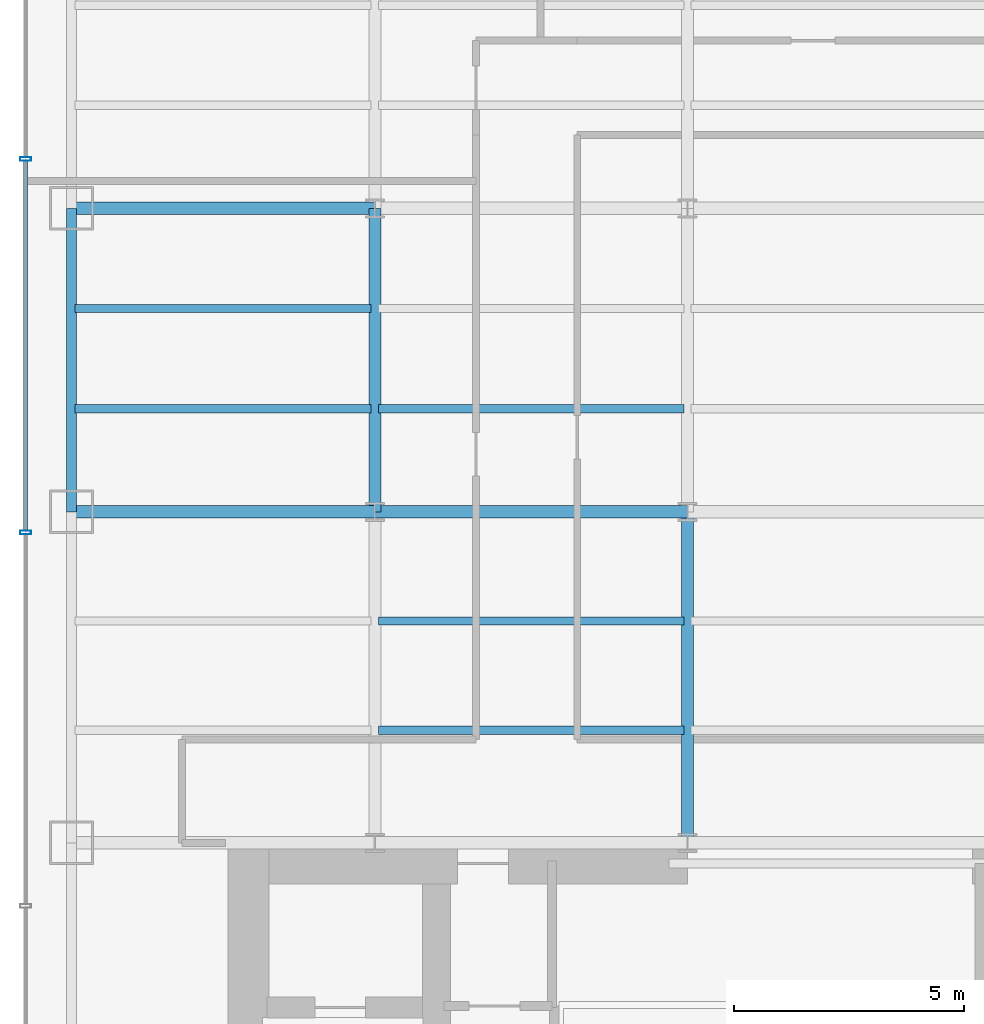
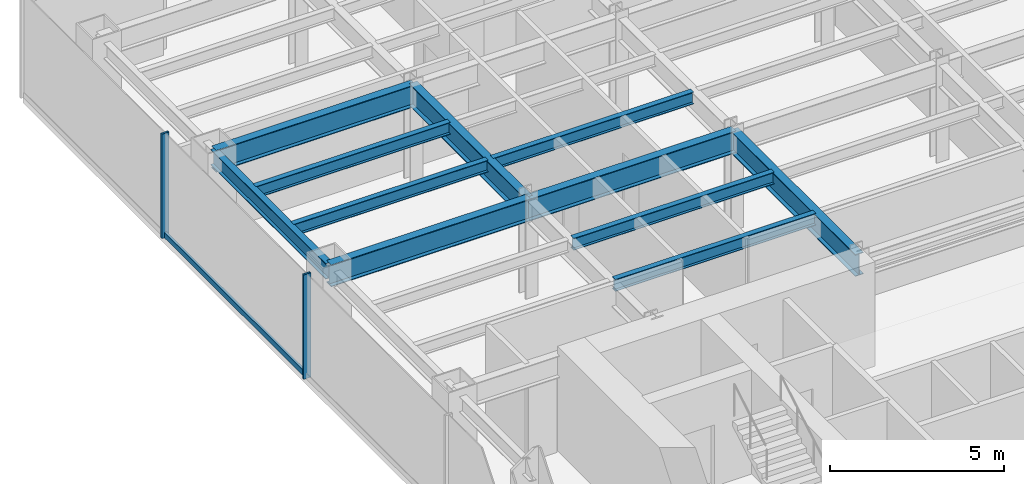
# One storey, part 4 of 22: 11 beams, 3 members, 1 element without a shape of its own.
"""IFC4 building model written with IfcOpenShell, lengths in metres."""

import ifcopenshell
import ifcopenshell.guid

model = None  # the IFC model being written
_history = None  # IfcOwnerHistory: only IFC2X3 demands one
_inside = {}  # id of a spatial element -> (the spatial element, [elements in it])
_under = {}  # id of a project, library or spatial element -> (it, [spatial elements below it])
_declared = {}  # id of a project -> (the project, [libraries it declares])
_typed = {}  # id of a type object -> (the type object, [elements of that type])
_made_of = {}  # id of a material, layer set ... -> (it, [elements and type objects made of it])


def new_model(schema):
    """Start an empty IFC model of exactly this schema.

    Asked for "IFC4X3", IfcOpenShell would pick the latest addendum, in which some entities
    have other attributes; the version numbers below select the first issue.
    IFC2X3 requires an IfcOwnerHistory on every rooted entity: one is made here for all.
    """
    global model, _history
    if schema == "IFC4X3":
        model = ifcopenshell.file(schema_version=(4, 3, 0, 0))
    else:
        model = ifcopenshell.file(schema=schema)
    _inside.clear()
    _under.clear()
    _declared.clear()
    _typed.clear()
    _made_of.clear()
    _history = None
    if model.schema == "IFC2X3":
        org = make("IfcOrganization", Name="unknown")
        user = make(
            "IfcPersonAndOrganization",
            ThePerson=make("IfcPerson", FamilyName="unknown"),
            TheOrganization=org,
        )
        app = make(
            "IfcApplication",
            ApplicationDeveloper=org,
            Version="unknown",
            ApplicationFullName="unknown",
            ApplicationIdentifier="unknown",
        )
        _history = make(
            "IfcOwnerHistory",
            OwningUser=user,
            OwningApplication=app,
            ChangeAction="ADDED",
            CreationDate=0,
        )
    return model


def make(cls, **values):
    """One entity of the class cls with the attributes given. An attribute that is None is left unset."""
    return model.create_entity(
        cls, **{name: value for name, value in values.items() if value is not None}
    )


def rooted(cls, **values):
    """An entity with a GlobalId (a new one), such as an element, a storey or a relation."""
    return make(cls, GlobalId=ifcopenshell.guid.new(), OwnerHistory=_history, **values)


def si_unit(unit_type, name, prefix=None):
    """IfcSIUnit, for example si_unit("LENGTHUNIT", "METRE", prefix="MILLI")."""
    return make("IfcSIUnit", UnitType=unit_type, Prefix=prefix, Name=name)


def derived_unit(unit_type, elements):
    """IfcDerivedUnit: a product of units, each with its exponent."""
    return make(
        "IfcDerivedUnit",
        Elements=[
            make("IfcDerivedUnitElement", Unit=unit, Exponent=power)
            for unit, power in elements
        ],
        UnitType=unit_type,
    )


def assignment(units):
    """IfcUnitAssignment: the units of a project."""
    return None if units is None else make("IfcUnitAssignment", Units=units)


def point(xyz):
    """IfcCartesianPoint."""
    return None if xyz is None else make("IfcCartesianPoint", Coordinates=xyz)


def direction(xyz):
    """IfcDirection."""
    return None if xyz is None else make("IfcDirection", DirectionRatios=xyz)


def frame(location, z_axis=None, x_axis=None):
    """IfcAxis2Placement3D, a coordinate frame: its origin and axes. An axis left out is left unset."""
    return make(
        "IfcAxis2Placement3D",
        Location=point(location),
        Axis=direction(z_axis),
        RefDirection=direction(x_axis),
    )


def frame_2d(location, x_axis=None):
    """IfcAxis2Placement2D, a coordinate frame in the plane: its origin and x axis."""
    return make(
        "IfcAxis2Placement2D", Location=point(location), RefDirection=direction(x_axis)
    )


def origin():
    """The frame at (0, 0, 0) with its axes left unset."""
    return frame((0.0, 0.0, 0.0))


def origin_2d():
    """The frame at (0, 0) in the plane with its x axis left unset."""
    return frame_2d((0.0, 0.0))


def place(relative_to, where):
    """IfcLocalPlacement: puts the frame where relative to a parent placement (None: the world)."""
    return make(
        "IfcLocalPlacement", PlacementRelTo=relative_to, RelativePlacement=where
    )


def context(
    kind, dimensions, precision=None, world=None, true_north=None, identifier=None
):
    """IfcGeometricRepresentationContext, for example the 3D "Model" context."""
    return make(
        "IfcGeometricRepresentationContext",
        ContextIdentifier=identifier,
        ContextType=kind,
        CoordinateSpaceDimension=dimensions,
        Precision=precision,
        WorldCoordinateSystem=world,
        TrueNorth=true_north,
    )


def subcontext(parent, identifier, kind, view, scale=None):
    """IfcGeometricRepresentationSubContext, for example "Body" below "Model"."""
    return make(
        "IfcGeometricRepresentationSubContext",
        ContextIdentifier=identifier,
        ContextType=kind,
        ParentContext=parent,
        TargetScale=scale,
        TargetView=view,
    )


def project(units=None, contexts=None):
    """IfcProject with its units and contexts."""
    return rooted(
        "IfcProject",
        Name="project",
        RepresentationContexts=contexts,
        UnitsInContext=assignment(units),
    )


def spatial(cls, under=None, at=None, **own):
    """A site, building, storey or space (cls), placed at a placement, below another one or the project."""
    s = rooted(cls, ObjectPlacement=at, **own)
    if under is not None:
        _under.setdefault(under.id(), (under, []))[1].append(s)
    return s


def profile(cls, at=None, kind="AREA", **sizes):
    """A parametric profile (cls). Its sizes go by their IFC names, for example OverallWidth=200.0."""
    return make(cls, ProfileType=kind, Position=at, **sizes)


def hollow_rectangle(**sizes):
    """IfcRectangleHollowProfileDef."""
    return profile("IfcRectangleHollowProfileDef", **sizes)


def i_section(**sizes):
    """IfcIShapeProfileDef."""
    return profile("IfcIShapeProfileDef", **sizes)


def extrude(swept, where, along, depth):
    """IfcExtrudedAreaSolid: the profile swept, set in the frame where, extruded along a direction by depth."""
    return make(
        "IfcExtrudedAreaSolid",
        SweptArea=swept,
        Position=where,
        ExtrudedDirection=direction(along),
        Depth=depth,
    )


def shape(context_of_items, identifier, shape_type, items):
    """IfcShapeRepresentation: the items that make up one representation, for example the "Body"."""
    return make(
        "IfcShapeRepresentation",
        ContextOfItems=context_of_items,
        RepresentationIdentifier=identifier,
        RepresentationType=shape_type,
        Items=items,
    )


def source(mapping_origin, context_of_items, identifier, shape_type, items):
    """IfcRepresentationMap: a shape defined once, which mapped items show again and again."""
    return make(
        "IfcRepresentationMap",
        MappingOrigin=mapping_origin,
        MappedRepresentation=shape(context_of_items, identifier, shape_type, items),
    )


def transform(
    local_origin,
    x_axis=None,
    y_axis=None,
    z_axis=None,
    scale=None,
    scale2=None,
    scale3=None,
    uniform=True,
):
    """IfcCartesianTransformationOperator3D, or its non-uniform kind. x_axis, y_axis, z_axis: its Axis1, 2, 3."""
    if uniform:
        return make(
            "IfcCartesianTransformationOperator3D",
            Axis1=direction(x_axis),
            Axis2=direction(y_axis),
            LocalOrigin=point(local_origin),
            Scale=scale,
            Axis3=direction(z_axis),
        )
    return make(
        "IfcCartesianTransformationOperator3DnonUniform",
        Axis1=direction(x_axis),
        Axis2=direction(y_axis),
        LocalOrigin=point(local_origin),
        Scale=scale,
        Axis3=direction(z_axis),
        Scale2=scale2,
        Scale3=scale3,
    )


def mapped(mapping_source, mapping_target):
    """IfcMappedItem: shows the shape of a source again, moved by a transform."""
    return make(
        "IfcMappedItem", MappingSource=mapping_source, MappingTarget=mapping_target
    )


def material(Name=None, Category=None):
    """IfcMaterial."""
    return make("IfcMaterial", Name=Name, Category=Category)


def material_profile(
    of_material, cross_section, Name=None, Category=None, Priority=None
):
    """IfcMaterialProfile: a cross section and its material."""
    return make(
        "IfcMaterialProfile",
        Name=Name,
        Material=of_material,
        Profile=cross_section,
        Priority=Priority,
        Category=Category,
    )


def profile_set(profiles, Name=None, composite=None):
    """IfcMaterialProfileSet."""
    return make(
        "IfcMaterialProfileSet",
        Name=Name,
        MaterialProfiles=profiles,
        CompositeProfile=composite,
    )


def made_of(thing, what):
    """Note that an element or type object is made of a material, layer set ...; save() writes the relation."""
    if what is not None:
        _made_of.setdefault(what.id(), (what, []))[1].append(thing)
    return thing


def type_object(cls, material=None, **own):
    """A type object (cls), such as IfcWallType, which elements share."""
    return made_of(rooted(cls, **own), material)


def element(
    cls,
    number,
    at=None,
    inside=None,
    cuts=None,
    type_object=None,
    material=None,
    context=None,
    identifier="Body",
    shape_type=None,
    held_by="IfcProductDefinitionShape",
    body=None,
    shapes=None,
    **own,
):
    """One element of the class cls, such as IfcWall. Its Tag is "e" and its number.

    at: its placement. inside: the storey or other place that contains it. cuts: it is an
    opening in that element (IfcRelVoidsElement). A single representation is given by context,
    identifier, shape_type and body (its items); several are given by shapes. held_by: the class
    of the entity that holds the representations. save() writes the other relations.
    """
    e = rooted(cls, Tag="e%d" % number, ObjectPlacement=at, **own)
    if body is not None:
        shapes = [shape(context, identifier, shape_type, body)]
    if shapes is not None:
        e.Representation = make(held_by, Representations=shapes)
    if inside is not None:
        _inside.setdefault(inside.id(), (inside, []))[1].append(e)
    if cuts is not None:
        rooted(
            "IfcRelVoidsElement", RelatingBuildingElement=cuts, RelatedOpeningElement=e
        )
    if type_object is not None:
        _typed.setdefault(type_object.id(), (type_object, []))[1].append(e)
    return made_of(e, material)


def aggregate(whole, parts):
    """IfcRelAggregates: a whole, such as a stair, and the parts it consists of."""
    return rooted("IfcRelAggregates", RelatingObject=whole, RelatedObjects=parts)


def save(model, path):
    """Write the relations noted so far, then the file.

    IfcRelAggregates (storeys below a building ...), IfcRelContainedInSpatialStructure (elements
    in a storey), IfcRelDefinesByType, IfcRelAssociatesMaterial and IfcRelDeclares: one each for
    every whole, place, type object, material and project.
    """
    for whole, parts in _under.values():
        aggregate(whole, parts)
    for where, things in _inside.values():
        rooted(
            "IfcRelContainedInSpatialStructure",
            RelatedElements=things,
            RelatingStructure=where,
        )
    for kind, things in _typed.values():
        rooted("IfcRelDefinesByType", RelatedObjects=things, RelatingType=kind)
    for what, things in _made_of.values():
        rooted("IfcRelAssociatesMaterial", RelatedObjects=things, RelatingMaterial=what)
    for by, libraries in _declared.values():
        rooted("IfcRelDeclares", RelatingContext=by, RelatedDefinitions=libraries)
    model.write(path)


model = new_model("IFC4")

# Units and contexts
model_context = context("Model", 3, precision=1e-05, world=origin(), true_north=direction((0.0, 1.0)))
body_context = subcontext(model_context, "Body", "Model", "MODEL_VIEW")
ifc_project = project(units=[si_unit("LENGTHUNIT", "METRE"), si_unit("AREAUNIT", "SQUARE_METRE"), si_unit("VOLUMEUNIT", "CUBIC_METRE"), si_unit("PLANEANGLEUNIT", "RADIAN"), si_unit("MASSUNIT", "GRAM", prefix="KILO"), derived_unit("THERMALTRANSMITTANCEUNIT", [(si_unit("POWERUNIT", "WATT"), 1), (si_unit("LENGTHUNIT", "METRE"), -2), (si_unit("THERMODYNAMICTEMPERATUREUNIT", "KELVIN"), -1)])], contexts=[model_context])

# Site, building, storey
site_placement = place(None, origin())
site = spatial("IfcSite", under=ifc_project, at=site_placement, CompositionType="ELEMENT")
building_placement = place(site_placement, origin())
building = spatial("IfcBuilding", under=site, at=building_placement, Name="Skarnbrae Concourse Arena and Tower", CompositionType="ELEMENT")
storey_placement = place(building_placement, frame((0.0, 0.0, 72.64990234375)))
storey = spatial("IfcBuildingStorey", under=building, at=storey_placement, Name="L17", CompositionType="ELEMENT", Elevation=72.64990234375)

# Beams
ifc_material_1 = material(Name="Steel CSA G40.21 350W", Category="steel")
ifc_material_profile_1 = material_profile(ifc_material_1, i_section(OverallWidth=0.26806640625, OverallDepth=0.77001953125, WebThickness=0.015625, FlangeThickness=0.025390625, at=origin_2d()), Name="W760X196")
ifc_profile_set_1 = profile_set([ifc_material_profile_1], Name="Steel CSA G40.21 350W")
beam_type_1 = type_object("IfcBeamType", Name="BM-GIRD-W760X196", PredefinedType="BEAM", material=ifc_profile_set_1)
shared_shape_1 = source(origin(), body_context, "Body", "SweptSolid", [
    extrude(i_section(OverallWidth=0.26806640625, OverallDepth=0.77001953125, WebThickness=0.015625, FlangeThickness=0.025390625, at=origin_2d()), origin(), (0.0, 0.0, 1.0), 6.60009765625),
])
for number, where, z_axis, x_axis, name in (
    (1, (1.0, 21.199951171875, 3.01513671875), (1.0, 0.0, 0.0), (0.0, 1.0, 0.0), "L17 Primary E-W girder Y21.2-1"),
    (2, (1.0, 27.800048828125, 3.01513671875), (1.0, 0.0, 0.0), (0.0, 1.0, 0.0), "L17 Primary E-W girder Y27.8-1"),
    (3, (7.60009765625, 21.199951171875, 3.01513671875), (0.0, 1.0, 0.0), (-1.0, 0.0, 0.0), "L17 Primary N-S girder X7.6-2"),
):
    element("IfcBeam", number, at=place(storey_placement, frame(where, z_axis=z_axis, x_axis=x_axis)), inside=storey, type_object=beam_type_1, Name=name, PredefinedType="BEAM", context=body_context, shape_type="MappedRepresentation", body=[
        mapped(shared_shape_1, transform((0.0, 0.0, 0.0))),
    ])
shared_shape_2 = source(origin(), body_context, "Body", "SweptSolid", [
    extrude(i_section(OverallWidth=0.26806640625, OverallDepth=0.77001953125, WebThickness=0.015625, FlangeThickness=0.025390625, at=origin_2d()), origin(), (0.0, 0.0, 1.0), 6.7998046875),
])
beam_1_placement = place(storey_placement, frame((7.60009765625, 21.199951171875, 3.01513671875), z_axis=(1.0, 0.0, 0.0), x_axis=(0.0, 1.0, 0.0)))
element("IfcBeam", 4, at=beam_1_placement, inside=storey, type_object=beam_type_1, Name="L17 Primary E-W girder Y21.2-2", PredefinedType="BEAM", context=body_context, shape_type="MappedRepresentation", body=[
    mapped(shared_shape_2, transform((0.0, 0.0, 0.0))),
])
ifc_material_profile_2 = material_profile(ifc_material_1, i_section(OverallWidth=0.214111328125, OverallDepth=0.549072265625, WebThickness=0.0146484375, FlangeThickness=0.023681640625, at=origin_2d()), Name="W530X138")
ifc_profile_set_2 = profile_set([ifc_material_profile_2], Name="Steel CSA G40.21 350W")
beam_type_2 = type_object("IfcBeamType", Name="BM-SPAN-W530X138", PredefinedType="SPANDREL", material=ifc_profile_set_2)
shared_shape_3 = source(origin(), body_context, "Body", "SweptSolid", [
    extrude(i_section(OverallWidth=0.214111328125, OverallDepth=0.549072265625, WebThickness=0.0146484375, FlangeThickness=0.023681640625, at=origin_2d()), origin(), (0.0, 0.0, 1.0), 6.60009765625),
])
beam_2_placement = place(storey_placement, frame((1.0, 21.199951171875, 3.12548828125), z_axis=(0.0, 1.0, 0.0), x_axis=(-1.0, 0.0, 0.0)))
element("IfcBeam", 5, at=beam_2_placement, inside=storey, type_object=beam_type_2, Name="L17 Perimeter spandrel X1.0-3", PredefinedType="SPANDREL", context=body_context, shape_type="MappedRepresentation", body=[
    mapped(shared_shape_3, transform((0.0, 0.0, 0.0))),
])
shared_shape_4 = source(origin(), body_context, "Body", "SweptSolid", [
    extrude(i_section(OverallWidth=0.26806640625, OverallDepth=0.77001953125, WebThickness=0.015625, FlangeThickness=0.025390625, at=origin_2d()), origin(), (0.0, 0.0, 1.0), 7.199951171875),
])
beam_3_placement = place(storey_placement, frame((14.39990234375, 14.0, 3.01513671875), z_axis=(0.0, 1.0, 0.0), x_axis=(-1.0, 0.0, 0.0)))
element("IfcBeam", 6, at=beam_3_placement, inside=storey, type_object=beam_type_1, Name="L17 Primary N-S girder X14.4-1", PredefinedType="BEAM", context=body_context, shape_type="MappedRepresentation", body=[
    mapped(shared_shape_4, transform((0.0, 0.0, 0.0))),
])
ifc_material_profile_3 = material_profile(ifc_material_1, i_section(OverallWidth=0.180908203125, OverallDepth=0.4169921875, WebThickness=0.010986328125, FlangeThickness=0.018310546875, at=origin_2d()), Name="W410X85")
ifc_profile_set_3 = profile_set([ifc_material_profile_3], Name="Steel CSA G40.21 350W")
beam_type_3 = type_object("IfcBeamType", Name="BM-JOIST-W410X85", PredefinedType="JOIST", material=ifc_profile_set_3)
shared_shape_5 = source(origin(), body_context, "Body", "SweptSolid", [
    extrude(i_section(OverallWidth=0.180908203125, OverallDepth=0.4169921875, WebThickness=0.010986328125, FlangeThickness=0.018310546875, at=origin_2d()), origin(), (0.0, 0.0, 1.0), 6.43994140625),
])
for number, where, z_axis, x_axis, name in (
    (7, (1.080078125, 23.444091796875, 3.191650390625), (1.0, 0.0, 0.0), (0.0, 1.0, 0.0), "L17 Secondary floor joist 2.1.1"),
    (8, (1.080078125, 25.6220703125, 3.191650390625), (1.0, 0.0, 0.0), (0.0, 1.0, 0.0), "L17 Secondary floor joist 2.2.1"),
):
    element("IfcBeam", number, at=place(storey_placement, frame(where, z_axis=z_axis, x_axis=x_axis)), inside=storey, type_object=beam_type_3, Name=name, PredefinedType="JOIST", context=body_context, shape_type="MappedRepresentation", body=[
        mapped(shared_shape_5, transform((0.0, 0.0, 0.0))),
    ])
shared_shape_6 = source(origin(), body_context, "Body", "SweptSolid", [
    extrude(i_section(OverallWidth=0.180908203125, OverallDepth=0.4169921875, WebThickness=0.010986328125, FlangeThickness=0.018310546875, at=origin_2d()), origin(), (0.0, 0.0, 1.0), 6.64013671875),
])
for number, where, z_axis, x_axis, name in (
    (9, (7.679931640625, 16.447998046875, 3.191650390625), (1.0, 0.0, 0.0), (0.0, 1.0, 0.0), "L17 Secondary floor joist 1.1.2"),
    (10, (7.679931640625, 18.823974609375, 3.191650390625), (1.0, 0.0, 0.0), (0.0, 1.0, 0.0), "L17 Secondary floor joist 1.2.2"),
    (11, (7.679931640625, 23.444091796875, 3.191650390625), (1.0, 0.0, 0.0), (0.0, 1.0, 0.0), "L17 Secondary floor joist 2.1.2"),
):
    element("IfcBeam", number, at=place(storey_placement, frame(where, z_axis=z_axis, x_axis=x_axis)), inside=storey, type_object=beam_type_3, Name=name, PredefinedType="JOIST", context=body_context, shape_type="MappedRepresentation", body=[
        mapped(shared_shape_6, transform((0.0, 0.0, 0.0))),
    ])

# Curtain wall, members
ifc_material_2 = material(Name="Bronze anodised aluminium 6063-T6", Category="aluminium")
curtain_wall_type = type_object("IfcCurtainWallType", Name="CW-SYS-02-LOWZONE", PredefinedType="USERDEFINED", material=ifc_material_2)
curtain_wall_placement = place(storey_placement, origin())
curtain_wall = element("IfcCurtainWall", 12, at=curtain_wall_placement, inside=storey, type_object=curtain_wall_type, Name="L17 Unitised curtain wall CW-L17-E19", ObjectType="UNITISED CURTAIN WALL", PredefinedType="USERDEFINED")
ifc_material_profile_4 = material_profile(ifc_material_2, hollow_rectangle(XDim=0.080078125, YDim=0.18994140625, WallThickness=0.0048828125, at=origin_2d()), Name="ALU-TRAN-80X190")
ifc_profile_set_4 = profile_set([ifc_material_profile_4], Name="Bronze anodised aluminium 6063-T6")
member_type_1 = type_object("IfcMemberType", Name="CWT-CW-02", PredefinedType="USERDEFINED", material=ifc_profile_set_4)
shared_shape_7 = source(origin(), body_context, "Body", "SweptSolid", [
    extrude(hollow_rectangle(XDim=0.080078125, YDim=0.18994140625, WallThickness=0.0048828125, at=origin_2d()), origin(), (0.0, 0.0, 1.0), 8.044921875),
])
member_1_placement = place(storey_placement, frame((0.0, 28.8349609375, 0.09521484375), z_axis=(0.0, -1.0, 0.0), x_axis=(1.0, 0.0, 0.0)))
member_1 = element("IfcMember", 13, at=member_1_placement, type_object=member_type_1, Name="CW-L17-E19 Transom 2", ObjectType="TRANSOM", PredefinedType="USERDEFINED", context=body_context, shape_type="MappedRepresentation", body=[
    mapped(shared_shape_7, transform((0.0, 0.0, 0.0))),
])
ifc_material_profile_5 = material_profile(ifc_material_2, hollow_rectangle(XDim=0.080078125, YDim=0.239990234375, WallThickness=0.0048828125, at=origin_2d()), Name="ALU-MULL-80X240")
ifc_profile_set_5 = profile_set([ifc_material_profile_5], Name="Bronze anodised aluminium 6063-T6")
member_type_2 = type_object("IfcMemberType", Name="CWM-CW-02", PredefinedType="MULLION", material=ifc_profile_set_5)
shared_shape_8 = source(origin(), body_context, "Body", "SweptSolid", [
    extrude(hollow_rectangle(XDim=0.080078125, YDim=0.239990234375, WallThickness=0.0048828125, at=origin_2d()), origin(), (0.0, 0.0, 1.0), 3.650146484375),
])
member_2_placement = place(storey_placement, frame((0.0, 28.875, 0.0), z_axis=(0.0, 0.0, 1.0), x_axis=(0.0, -1.0, 0.0)))
member_2 = element("IfcMember", 14, at=member_2_placement, type_object=member_type_2, Name="CW-L17-E19 Mullion 2", PredefinedType="MULLION", context=body_context, shape_type="MappedRepresentation", body=[
    mapped(shared_shape_8, transform((0.0, 0.0, 0.0))),
])
member_3_placement = place(storey_placement, frame((0.0, 20.75, 0.0), z_axis=(0.0, 0.0, 1.0), x_axis=(0.0, -1.0, 0.0)))
member_3 = element("IfcMember", 15, at=member_3_placement, type_object=member_type_2, Name="CW-L17-E19 Mullion 3", PredefinedType="MULLION", context=body_context, shape_type="MappedRepresentation", body=[
    mapped(shared_shape_8, transform((0.0, 0.0, 0.0))),
])
aggregate(curtain_wall, [member_2, member_3, member_1])

save(model, "model.ifc")
